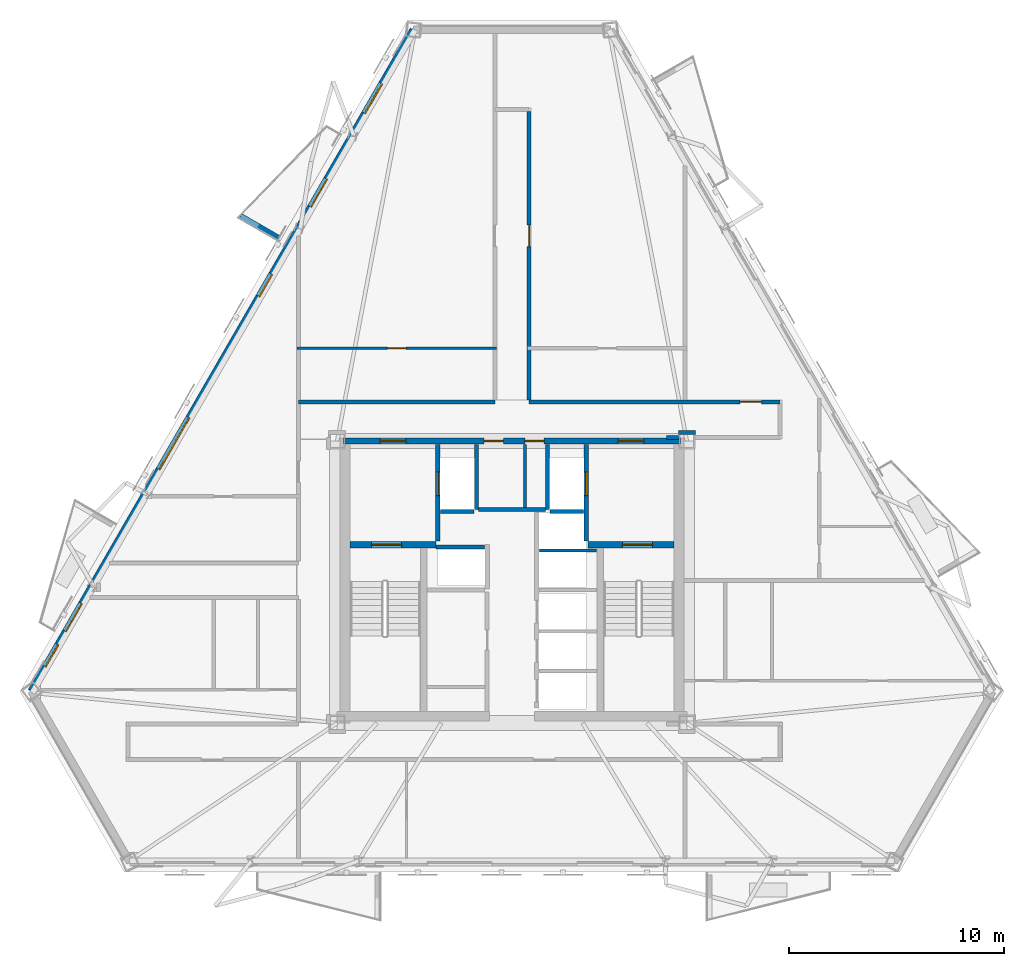
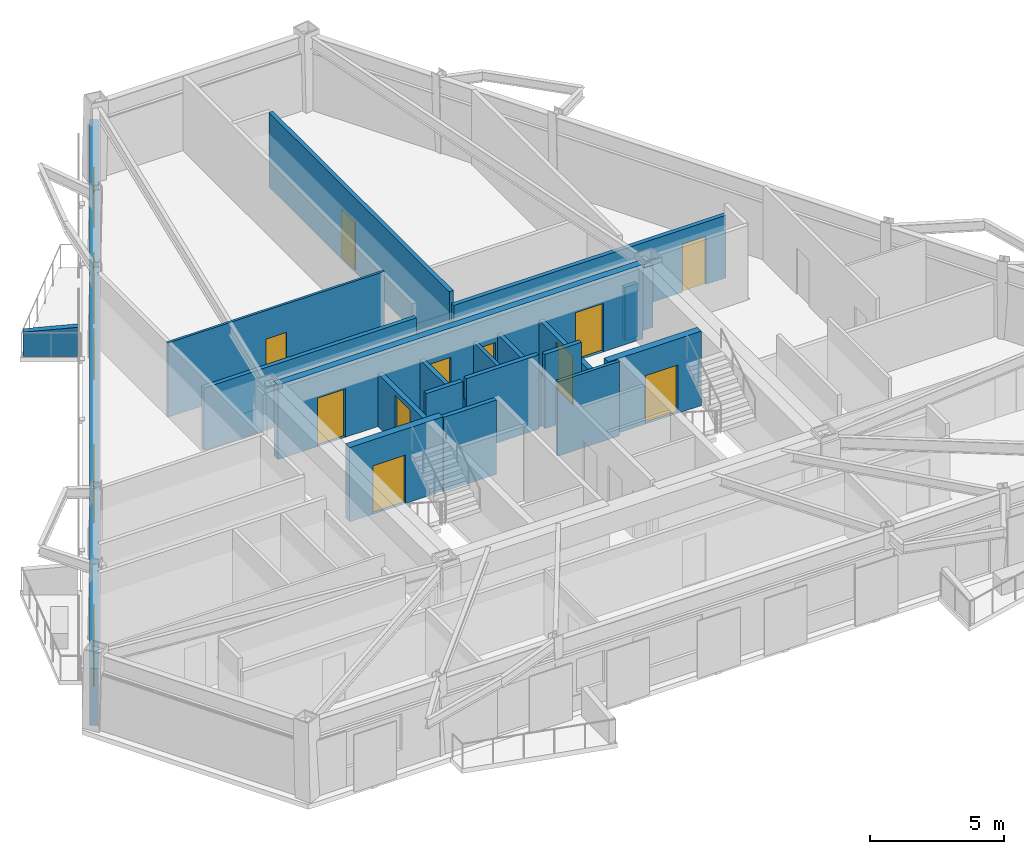
# One storey, part 4 of 9: 21 walls, 13 doors, 4 windows, 17 openings.
"""IFC4 building model written with IfcOpenShell, lengths in metres."""

from ifc_helpers import new_model, si_unit, direction, frame, frame_2d, origin, place, context, subcontext, project, spatial, polyline, rectangle, outline, extrude, material, layer, layer_set, type_object, element, fill, save


model = new_model("IFC4")

# Units and contexts
model_context = context("Model", 3, precision=1e-05, world=origin(), true_north=direction((0.0, 1.0)))
body_context = subcontext(model_context, "Body", "Model", "MODEL_VIEW")
ifc_project = project(units=[si_unit("LENGTHUNIT", "METRE"), si_unit("AREAUNIT", "SQUARE_METRE"), si_unit("VOLUMEUNIT", "CUBIC_METRE"), si_unit("PLANEANGLEUNIT", "RADIAN"), si_unit("MASSUNIT", "GRAM", prefix="KILO")], contexts=[model_context])

# Site, building, storey
site_placement = place(None, origin())
site = spatial("IfcSite", under=ifc_project, at=site_placement, CompositionType="ELEMENT")
building_placement = place(site_placement, origin())
building = spatial("IfcBuilding", under=site, at=building_placement, Name="Oramaril Tower", CompositionType="ELEMENT")
storey_placement = place(building_placement, frame((0.0, 0.0, 156.60009765625)))
storey = spatial("IfcBuildingStorey", under=building, at=storey_placement, Name="L41", CompositionType="ELEMENT", Elevation=156.60009765625)

# Wall, openings, doors, windows
ifc_material_1 = material(Name="Warm Cream Limestone", Category="masonry")
ifc_layer_1 = layer(ifc_material_1, 0.340087890625)
ifc_layer_set_1 = layer_set([ifc_layer_1], Name="WT-EXT34")
wall_type_1 = type_object("IfcWallType", Name="WT-EXT34", PredefinedType="SOLIDWALL", material=ifc_layer_set_1)
wall_1_placement = place(storey_placement, frame((32.90087890625, 43.312744140625, 0.0), z_axis=(0.0, 0.0, 1.0), x_axis=(-0.499998839087, -0.866026074037, 0.0)))
wall_1 = element("IfcWall", 1, at=wall_1_placement, inside=storey, type_object=wall_type_1, Name="L41 Tower Limestone Facade Wall 6M", PredefinedType="SOLIDWALL", context=body_context, shape_type="SweptSolid", body=[
    extrude(rectangle(XDim=35.6064453125, YDim=0.340087890625, at=frame_2d((17.80322265625, 0.0))), origin(), (0.0, 0.0, 1.0), 2.599853515625),
])
opening_1_placement = place(wall_1_placement, frame((8.034423828125, 0.0, 0.0)))
opening_1 = element("IfcOpeningElement", 2, at=opening_1_placement, cuts=wall_1, Name="Opening D-L41-BAL-NW1", PredefinedType="OPENING", context=body_context, shape_type="SweptSolid", body=[
    extrude(rectangle(XDim=1.5, YDim=2.199951171875, at=frame_2d((0.75, 1.10009765625))), frame((0.0, 0.169921875, 0.0), z_axis=(0.0, -1.0, 0.0), x_axis=(1.0, 0.0, 0.0)), (0.0, 0.0, 1.0), 0.340087890625),
])
opening_2_placement = place(wall_1_placement, frame((30.88720703125, 0.0, 0.0)))
opening_2 = element("IfcOpeningElement", 3, at=opening_2_placement, cuts=wall_1, Name="Opening D-L41-BAL-NW2", PredefinedType="OPENING", context=body_context, shape_type="SweptSolid", body=[
    extrude(rectangle(XDim=1.5, YDim=2.199951171875, at=frame_2d((0.75, 1.10009765625))), frame((0.0, 0.169921875, 0.0), z_axis=(0.0, -1.0, 0.0), x_axis=(1.0, 0.0, 0.0)), (0.0, 0.0, 1.0), 0.340087890625),
])
opening_3_placement = place(wall_1_placement, frame((33.095947265625, 0.0, 0.85009765625)))
opening_3 = element("IfcOpeningElement", 4, at=opening_3_placement, cuts=wall_1, Name="Opening WN-09", PredefinedType="OPENING", context=body_context, shape_type="SweptSolid", body=[
    extrude(rectangle(XDim=1.199951171875, YDim=1.47998046875, at=frame_2d((0.60009765625, 0.739990234375))), frame((0.0, 0.169921875, 0.0), z_axis=(0.0, -1.0, 0.0), x_axis=(1.0, 0.0, 0.0)), (0.0, 0.0, 1.0), 0.340087890625),
])
opening_4_placement = place(wall_1_placement, frame((13.168212890625, 0.0, 0.85009765625)))
opening_4 = element("IfcOpeningElement", 5, at=opening_4_placement, cuts=wall_1, Name="Opening WN-09", PredefinedType="OPENING", context=body_context, shape_type="SweptSolid", body=[
    extrude(rectangle(XDim=1.199951171875, YDim=1.47998046875, at=frame_2d((0.60009765625, 0.739990234375))), frame((0.0, 0.169921875, 0.0), z_axis=(0.0, -1.0, 0.0), x_axis=(1.0, 0.0, 0.0)), (0.0, 0.0, 1.0), 0.340087890625),
])
opening_5_placement = place(wall_1_placement, frame((20.876220703125, 0.0, 0.85009765625)))
opening_5 = element("IfcOpeningElement", 6, at=opening_5_placement, cuts=wall_1, Name="Opening WN-01", PredefinedType="OPENING", context=body_context, shape_type="SweptSolid", body=[
    extrude(rectangle(XDim=2.800048828125, YDim=1.639892578125, at=frame_2d((1.39990234375, 0.81982421875))), frame((0.0, 0.169921875, 0.0), z_axis=(0.0, -1.0, 0.0), x_axis=(1.0, 0.0, 0.0)), (0.0, 0.0, 1.0), 0.340087890625),
])
opening_6_placement = place(wall_1_placement, frame((2.906494140625, 0.0, 0.85009765625)))
opening_6 = element("IfcOpeningElement", 7, at=opening_6_placement, cuts=wall_1, Name="Opening WN-07", PredefinedType="OPENING", context=body_context, shape_type="SweptSolid", body=[
    extrude(rectangle(XDim=1.60009765625, YDim=1.639892578125, at=frame_2d((0.800048828125, 0.81982421875))), frame((0.0, 0.169921875, 0.0), z_axis=(0.0, -1.0, 0.0), x_axis=(1.0, 0.0, 0.0)), (0.0, 0.0, 1.0), 0.340087890625),
])
ifc_material_2 = material(Name="Anodised Aluminium 6063-T6", Category="aluminium")
door_type_1 = type_object("IfcDoorType", Name="DT-BAL", OperationType="NOTDEFINED", PredefinedType="DOOR", material=ifc_material_2)
door_1_placement = place(opening_1_placement, origin())
door_1 = element("IfcDoor", 8, at=door_1_placement, inside=storey, type_object=door_type_1, Name="L41 Balcony Glazed Door L41-BAL-NW1", OperationType="SINGLE_SWING_RIGHT", OverallHeight=2.199951171875, OverallWidth=1.5, PredefinedType="DOOR", context=body_context, shape_type="SweptSolid", body=[
    extrude(rectangle(XDim=1.5, YDim=2.199951171875, at=frame_2d((0.75, 1.10009765625))), frame((0.0, 0.02490234375, 0.0), z_axis=(0.0, -1.0, 0.0), x_axis=(1.0, 0.0, 0.0)), (0.0, 0.0, 1.0), 0.050048828125),
])
fill(opening_1, door_1)
door_2_placement = place(opening_2_placement, origin())
door_2 = element("IfcDoor", 9, at=door_2_placement, inside=storey, type_object=door_type_1, Name="L41 Balcony Glazed Door L41-BAL-NW2", OperationType="SINGLE_SWING_LEFT", OverallHeight=2.199951171875, OverallWidth=1.5, PredefinedType="DOOR", context=body_context, shape_type="SweptSolid", body=[
    extrude(rectangle(XDim=1.5, YDim=2.199951171875, at=frame_2d((0.75, 1.10009765625))), frame((0.0, 0.02490234375, 0.0), z_axis=(0.0, -1.0, 0.0), x_axis=(1.0, 0.0, 0.0)), (0.0, 0.0, 1.0), 0.050048828125),
])
fill(opening_2, door_2)
ifc_material_3 = material(Name="Coastal Low-E Insulated Glass", Category="glass")
window_type_1 = type_object("IfcWindowType", Name="WNT-01", PartitioningType="SINGLE_PANEL", PredefinedType="WINDOW", material=ifc_material_3)
window_1_placement = place(opening_5_placement, origin())
window_1 = element("IfcWindow", 10, at=window_1_placement, inside=storey, type_object=window_type_1, Name="L41 Chicago Bay Window WN-01", OverallHeight=1.639892578125, OverallWidth=2.800048828125, PartitioningType="SINGLE_PANEL", PredefinedType="WINDOW", context=body_context, shape_type="SweptSolid", body=[
    extrude(rectangle(XDim=2.800048828125, YDim=1.639892578125, at=frame_2d((1.39990234375, 0.81982421875))), frame((0.0, 0.030029296875, 0.0), z_axis=(0.0, -1.0, 0.0), x_axis=(1.0, 0.0, 0.0)), (0.0, 0.0, 1.0), 0.06005859375),
])
fill(opening_5, window_1)
ifc_material_4 = material(Name="Coastal Low-E Insulated Glass", Category="glass")
window_type_2 = type_object("IfcWindowType", Name="WNT-07", PartitioningType="SINGLE_PANEL", PredefinedType="WINDOW", material=ifc_material_4)
window_2_placement = place(opening_6_placement, origin())
window_2 = element("IfcWindow", 11, at=window_2_placement, inside=storey, type_object=window_type_2, Name="L41 Chicago Bay Window WN-07", OverallHeight=1.639892578125, OverallWidth=1.60009765625, PartitioningType="SINGLE_PANEL", PredefinedType="WINDOW", context=body_context, shape_type="SweptSolid", body=[
    extrude(rectangle(XDim=1.60009765625, YDim=1.639892578125, at=frame_2d((0.800048828125, 0.81982421875))), frame((0.0, 0.030029296875, 0.0), z_axis=(0.0, -1.0, 0.0), x_axis=(1.0, 0.0, 0.0)), (0.0, 0.0, 1.0), 0.06005859375),
])
fill(opening_6, window_2)
ifc_material_5 = material(Name="Coastal Low-E Insulated Glass", Category="glass")
window_type_3 = type_object("IfcWindowType", Name="WNT-09", PartitioningType="SINGLE_PANEL", PredefinedType="WINDOW", material=ifc_material_5)
window_3_placement = place(opening_3_placement, origin())
window_3 = element("IfcWindow", 12, at=window_3_placement, inside=storey, type_object=window_type_3, Name="L41 Chicago Bay Window WN-09", OverallHeight=1.47998046875, OverallWidth=1.199951171875, PartitioningType="SINGLE_PANEL", PredefinedType="WINDOW", context=body_context, shape_type="SweptSolid", body=[
    extrude(rectangle(XDim=1.199951171875, YDim=1.47998046875, at=frame_2d((0.60009765625, 0.739990234375))), frame((0.0, 0.030029296875, 0.0), z_axis=(0.0, -1.0, 0.0), x_axis=(1.0, 0.0, 0.0)), (0.0, 0.0, 1.0), 0.06005859375),
])
fill(opening_3, window_3)
window_4_placement = place(opening_4_placement, origin())
window_4 = element("IfcWindow", 13, at=window_4_placement, inside=storey, type_object=window_type_3, Name="L41 Chicago Bay Window WN-09", OverallHeight=1.47998046875, OverallWidth=1.199951171875, PartitioningType="SINGLE_PANEL", PredefinedType="WINDOW", context=body_context, shape_type="SweptSolid", body=[
    extrude(rectangle(XDim=1.199951171875, YDim=1.47998046875, at=frame_2d((0.60009765625, 0.739990234375))), frame((0.0, 0.030029296875, 0.0), z_axis=(0.0, -1.0, 0.0), x_axis=(1.0, 0.0, 0.0)), (0.0, 0.0, 1.0), 0.06005859375),
])
fill(opening_4, window_4)

# Wall
ifc_material_6 = material(Name="Concrete C40/50", Category="concrete")
ifc_layer_2 = layer(ifc_material_6, 0.22998046875)
ifc_layer_set_2 = layer_set([ifc_layer_2], Name="WT-PRP23")
wall_type_2 = type_object("IfcWallType", Name="WT-PRP23", PredefinedType="PARAPET", material=ifc_layer_set_2)
wall_2_placement = place(storey_placement, frame((26.618408203125, 33.626953125, 0.0), z_axis=(0.0, 0.0, 1.0), x_axis=(-0.866042246008, 0.499970827278, 0.0)))
element("IfcWall", 14, at=wall_2_placement, inside=storey, type_object=wall_type_2, Name="L41 Trapezoidal Balcony Frame Cheek L41-BAL-NW1-R", PredefinedType="PARAPET", context=body_context, shape_type="SweptSolid", body=[
    extrude(outline(polyline([(0.0, 0.0), (2.0419921875, 0.0), (2.0419921875, 1.099853515625), (0.0, 1.31982421875), (0.0, 0.0)])), frame((0.0, 0.114990234375, 0.0), z_axis=(0.0, -1.0, 0.0), x_axis=(1.0, 0.0, 0.0)), (0.0, 0.0, 1.0), 0.22998046875),
])

# Wall, opening, door
ifc_material_7 = material(Name="Acoustic Gypsum Board Partition")
ifc_layer_3 = layer(ifc_material_7, 0.10009765625)
ifc_layer_set_3 = layer_set([ifc_layer_3], Name="WT-PT10")
wall_type_3 = type_object("IfcWallType", Name="WT-PT10", PredefinedType="PARTITIONING", material=ifc_layer_set_3)
wall_3_placement = place(storey_placement, frame((27.468017578125, 28.469970703125, 0.0), z_axis=(0.0, 0.0, 1.0), x_axis=(1.0, 0.0, 0.0)))
wall_3 = element("IfcWall", 15, at=wall_3_placement, inside=storey, type_object=wall_type_3, Name="L41 Interior Partition PT-10", PredefinedType="PARTITIONING", context=body_context, shape_type="SweptSolid", body=[
    extrude(rectangle(XDim=9.31396484375, YDim=0.10009765625, at=frame_2d((4.656982421875, 0.0))), origin(), (0.0, 0.0, 1.0), 3.3798828125),
])
opening_7_placement = place(wall_3_placement, frame((4.217041015625, 0.0, 0.0)))
opening_7 = element("IfcOpeningElement", 16, at=opening_7_placement, cuts=wall_3, Name="Opening D-L41-12", PredefinedType="OPENING", context=body_context, shape_type="SweptSolid", body=[
    extrude(rectangle(XDim=0.8798828125, YDim=2.080078125, at=frame_2d((0.43994140625, 1.0400390625))), frame((0.0, 0.050048828125, 0.0), z_axis=(0.0, -1.0, 0.0), x_axis=(1.0, 0.0, 0.0)), (0.0, 0.0, 1.0), 0.10009765625),
])
ifc_material_8 = material(Name="FSC Brazilian Freijo Hardwood", Category="wood")
door_type_2 = type_object("IfcDoorType", Name="DT-BATH", OperationType="NOTDEFINED", PredefinedType="DOOR", material=ifc_material_8)
door_3_placement = place(opening_7_placement, origin())
door_3 = element("IfcDoor", 17, at=door_3_placement, inside=storey, type_object=door_type_2, Name="L41 Flat L41-U6 Bathroom Door D-L41-12", OperationType="SINGLE_SWING_LEFT", OverallHeight=2.080078125, OverallWidth=0.8798828125, PredefinedType="DOOR", context=body_context, shape_type="SweptSolid", body=[
    extrude(rectangle(XDim=0.8798828125, YDim=2.080078125, at=frame_2d((0.43994140625, 1.0400390625))), frame((0.0, 0.02490234375, 0.0), z_axis=(0.0, -1.0, 0.0), x_axis=(1.0, 0.0, 0.0)), (0.0, 0.0, 1.0), 0.050048828125),
])
fill(opening_7, door_3)

# Walls
ifc_material_9 = material(Name="Acoustic Gypsum Board Partition")
ifc_layer_4 = layer(ifc_material_9, 0.139892578125)
ifc_layer_set_4 = layer_set([ifc_layer_4], Name="WT-PT14")
wall_type_4 = type_object("IfcWallType", Name="WT-PT14", PredefinedType="PARTITIONING", material=ifc_layer_set_4)
wall_4_placement = place(storey_placement, frame((38.780029296875, 19.050048828125, 0.0), z_axis=(0.0, 0.0, 1.0), x_axis=(1.0, 0.0, 0.0)))
element("IfcWall", 18, at=wall_4_placement, inside=storey, type_object=wall_type_4, Name="L41 East Lift Divider", PredefinedType="PARTITIONING", context=body_context, shape_type="SweptSolid", body=[
    extrude(rectangle(XDim=2.659912109375, YDim=0.139892578125, at=frame_2d((1.330078125, 0.0))), origin(), (0.0, 0.0, 1.0), 3.3798828125),
])
wall_5_placement = place(storey_placement, frame((38.110107421875, 21.06005859375, 0.0), z_axis=(0.0, 0.0, 1.0), x_axis=(0.0, 1.0, 0.0)))
element("IfcWall", 19, at=wall_5_placement, inside=storey, type_object=wall_type_4, Name="L41 Core Service Divider", PredefinedType="PARTITIONING", context=body_context, shape_type="SweptSolid", body=[
    extrude(rectangle(XDim=2.919921875, YDim=0.139892578125, at=frame_2d((1.4599609375, 0.0))), origin(), (0.0, 0.0, 1.0), 2.419921875),
])
ifc_material_10 = material(Name="Autoclaved Cellular Concrete Block", Category="concrete")
ifc_layer_5 = layer(ifc_material_10, 0.179931640625)
ifc_layer_set_5 = layer_set([ifc_layer_5], Name="WT-PT18")
wall_type_5 = type_object("IfcWallType", Name="WT-PT18", PredefinedType="PARTITIONING", material=ifc_layer_set_5)
wall_6_placement = place(storey_placement, frame((35.840087890625, 20.9599609375, 0.0), z_axis=(0.0, 0.0, 1.0), x_axis=(0.0, 1.0, 0.0)))
element("IfcWall", 20, at=wall_6_placement, inside=storey, type_object=wall_type_5, Name="L41 FL-1 East Shaft Wall", PredefinedType="PARTITIONING", context=body_context, shape_type="SweptSolid", body=[
    extrude(rectangle(XDim=3.02001953125, YDim=0.179931640625, at=frame_2d((1.510009765625, 0.0))), origin(), (0.0, 0.0, 1.0), 2.419921875),
])
wall_7_placement = place(storey_placement, frame((34.159912109375, 20.860107421875, 0.0), z_axis=(0.0, 0.0, 1.0), x_axis=(1.0, 0.0, 0.0)))
element("IfcWall", 21, at=wall_7_placement, inside=storey, type_object=wall_type_5, Name="L41 FL-1 South Shaft Wall", PredefinedType="PARTITIONING", context=body_context, shape_type="SweptSolid", body=[
    extrude(rectangle(XDim=1.580078125, YDim=0.179931640625, at=frame_2d((0.7900390625, 0.0))), origin(), (0.0, 0.0, 1.0), 3.3798828125),
])
wall_8_placement = place(storey_placement, frame((39.159912109375, 20.9599609375, 0.0), z_axis=(0.0, 0.0, 1.0), x_axis=(0.0, 1.0, 0.0)))
element("IfcWall", 22, at=wall_8_placement, inside=storey, type_object=wall_type_5, Name="L41 FL-2 West Shaft Wall", PredefinedType="PARTITIONING", context=body_context, shape_type="SweptSolid", body=[
    extrude(rectangle(XDim=3.02001953125, YDim=0.179931640625, at=frame_2d((1.510009765625, 0.0))), origin(), (0.0, 0.0, 1.0), 2.419921875),
])
wall_9_placement = place(storey_placement, frame((39.260009765625, 20.860107421875, 0.0), z_axis=(0.0, 0.0, 1.0), x_axis=(1.0, 0.0, 0.0)))
element("IfcWall", 23, at=wall_9_placement, inside=storey, type_object=wall_type_5, Name="L41 FL-2 South Shaft Wall", PredefinedType="PARTITIONING", context=body_context, shape_type="SweptSolid", body=[
    extrude(rectangle(XDim=1.580078125, YDim=0.179931640625, at=frame_2d((0.7900390625, 0.0))), origin(), (0.0, 0.0, 1.0), 3.3798828125),
])
wall_10_placement = place(storey_placement, frame((33.949951171875, 19.199951171875, 0.0), z_axis=(0.0, 0.0, 1.0), x_axis=(1.0, 0.0, 0.0)))
element("IfcWall", 24, at=wall_10_placement, inside=storey, type_object=wall_type_5, Name="L41 High-Rise Lift H1 North Shaft Wall", PredefinedType="PARTITIONING", context=body_context, shape_type="SweptSolid", body=[
    extrude(rectangle(XDim=2.27001953125, YDim=0.179931640625, at=frame_2d((1.135009765625, 0.0))), origin(), (0.0, 0.0, 1.0), 3.3798828125),
])
wall_11_placement = place(storey_placement, frame((35.949951171875, 20.949951171875, 0.0), z_axis=(0.0, 0.0, 1.0), x_axis=(1.0, 0.0, 0.0)))
element("IfcWall", 25, at=wall_11_placement, inside=storey, type_object=wall_type_5, Name="L41 Lift Lobby North Partition", PredefinedType="PARTITIONING", context=body_context, shape_type="SweptSolid", body=[
    extrude(rectangle(XDim=3.10009765625, YDim=0.179931640625, at=frame_2d((1.550048828125, 0.0))), origin(), (0.0, 0.0, 1.0), 3.3798828125),
])
wall_12_placement = place(storey_placement, frame((44.695068359375, 24.320068359375, 0.0), z_axis=(0.0, 0.0, 1.0), x_axis=(1.0, 0.0, 0.0)))
element("IfcWall", 26, at=wall_12_placement, inside=storey, type_object=wall_type_5, Name="L41 Interior Partition PT-18", PredefinedType="PARTITIONING", context=body_context, shape_type="SweptSolid", body=[
    extrude(rectangle(XDim=0.56494140625, YDim=0.179931640625, at=frame_2d((0.282470703125, 0.0))), origin(), (0.0, 0.0, 1.0), 2.419921875),
])
wall_13_placement = place(storey_placement, frame((45.2548828125, 24.550048828125, 0.0), z_axis=(0.0, 0.0, 1.0), x_axis=(1.0, 0.0, 0.0)))
element("IfcWall", 27, at=wall_13_placement, inside=storey, type_object=wall_type_5, Name="L41 Interior Partition PT-18", PredefinedType="PARTITIONING", context=body_context, shape_type="SweptSolid", body=[
    extrude(rectangle(XDim=0.7900390625, YDim=0.179931640625, at=frame_2d((0.39501953125, 0.0))), origin(), (0.0, 0.0, 1.0), 2.841796875),
])
wall_14_placement = place(storey_placement, frame((27.550048828125, 25.969970703125, 0.0), z_axis=(0.0, 0.0, 1.0), x_axis=(1.0, 0.0, 0.0)))
element("IfcWall", 28, at=wall_14_placement, inside=storey, type_object=wall_type_5, Name="L41 Interior Partition PT-18", PredefinedType="PARTITIONING", context=body_context, shape_type="SweptSolid", body=[
    extrude(rectangle(XDim=9.14990234375, YDim=0.179931640625, at=frame_2d((4.574951171875, 0.0))), origin(), (0.0, 0.0, 1.0), 2.841796875),
])

# Wall, opening, door
wall_15_placement = place(storey_placement, frame((38.300048828125, 25.969970703125, 0.0), z_axis=(0.0, 0.0, 1.0), x_axis=(1.0, 0.0, 0.0)))
wall_15 = element("IfcWall", 29, at=wall_15_placement, inside=storey, type_object=wall_type_5, Name="L41 Interior Partition PT-18", PredefinedType="PARTITIONING", context=body_context, shape_type="SweptSolid", body=[
    extrude(rectangle(XDim=11.699951171875, YDim=0.179931640625, at=frame_2d((5.85009765625, 0.0))), origin(), (0.0, 0.0, 1.0), 2.841796875),
])
opening_8_placement = place(wall_15_placement, frame((9.832275390625, 0.0, 0.0)))
opening_8 = element("IfcOpeningElement", 30, at=opening_8_placement, cuts=wall_15, Name="Opening D-L41-11", PredefinedType="OPENING", context=body_context, shape_type="SweptSolid", body=[
    extrude(rectangle(XDim=1.0, YDim=2.179931640625, at=frame_2d((0.5, 1.08984375))), frame((0.0, 0.08984375, 0.0), z_axis=(0.0, -1.0, 0.0), x_axis=(1.0, 0.0, 0.0)), (0.0, 0.0, 1.0), 0.179931640625),
])
ifc_material_11 = material(Name="FSC Brazilian Freijo Hardwood", Category="wood")
door_type_3 = type_object("IfcDoorType", Name="DT-APT", OperationType="NOTDEFINED", PredefinedType="DOOR", material=ifc_material_11)
door_4_placement = place(opening_8_placement, origin())
door_4 = element("IfcDoor", 31, at=door_4_placement, inside=storey, type_object=door_type_3, Name="L41 Flat L41-U5 Studio Apartment Door D-L41-11", OperationType="SINGLE_SWING_RIGHT", OverallHeight=2.179931640625, OverallWidth=1.0, PredefinedType="DOOR", context=body_context, shape_type="SweptSolid", body=[
    extrude(rectangle(XDim=1.0, YDim=2.179931640625, at=frame_2d((0.5, 1.08984375))), frame((0.0, 0.02490234375, 0.0), z_axis=(0.0, -1.0, 0.0), x_axis=(1.0, 0.0, 0.0)), (0.0, 0.0, 1.0), 0.050048828125),
])
fill(opening_8, door_4)

wall_16_placement = place(storey_placement, frame((38.300048828125, 26.06396484375, 0.0), z_axis=(0.0, 0.0, 1.0), x_axis=(0.0, 1.0, 0.0)))
wall_16 = element("IfcWall", 32, at=wall_16_placement, inside=storey, type_object=wall_type_5, Name="L41 Interior Partition PT-18", PredefinedType="PARTITIONING", context=body_context, shape_type="SweptSolid", body=[
    extrude(rectangle(XDim=13.442138671875, YDim=0.179931640625, at=frame_2d((6.72119140625, 0.0))), origin(), (0.0, 0.0, 1.0), 3.3798828125),
])
opening_9_placement = place(wall_16_placement, frame((7.147705078125, 0.0, 0.0)))
opening_9 = element("IfcOpeningElement", 33, at=opening_9_placement, cuts=wall_16, Name="Opening D-L41-17", PredefinedType="OPENING", context=body_context, shape_type="SweptSolid", body=[
    extrude(rectangle(XDim=1.0, YDim=2.179931640625, at=frame_2d((0.5, 1.08984375))), frame((0.0, 0.08984375, 0.0), z_axis=(0.0, -1.0, 0.0), x_axis=(1.0, 0.0, 0.0)), (0.0, 0.0, 1.0), 0.179931640625),
])
door_5_placement = place(opening_9_placement, origin())
door_5 = element("IfcDoor", 34, at=door_5_placement, inside=storey, type_object=door_type_3, Name="L41 Flat L41-U7 Kitchen and Studio Apartment Door D-L41-17", OperationType="SINGLE_SWING_RIGHT", OverallHeight=2.179931640625, OverallWidth=1.0, PredefinedType="DOOR", context=body_context, shape_type="SweptSolid", body=[
    extrude(rectangle(XDim=1.0, YDim=2.179931640625, at=frame_2d((0.5, 1.08984375))), frame((0.0, 0.02490234375, 0.0), z_axis=(0.0, -1.0, 0.0), x_axis=(1.0, 0.0, 0.0)), (0.0, 0.0, 1.0), 0.050048828125),
])
fill(opening_9, door_5)

# Wall, openings, doors
ifc_material_12 = material(Name="Concrete C50/60", Category="concrete")
ifc_layer_6 = layer(ifc_material_12, 0.300048828125)
ifc_layer_set_6 = layer_set([ifc_layer_6], Name="WT-SH30")
wall_type_6 = type_object("IfcWallType", Name="WT-SH30", PredefinedType="SHEAR", material=ifc_layer_set_6)
wall_17_placement = place(storey_placement, frame((29.64990234375, 24.14990234375, 0.0), z_axis=(0.0, 0.0, 1.0), x_axis=(1.0, 0.0, 0.0)))
wall_17 = element("IfcWall", 35, at=wall_17_placement, inside=storey, type_object=wall_type_6, Name="L41 Core Shear Wall CW-N", PredefinedType="SHEAR", context=body_context, shape_type="SweptSolid", body=[
    extrude(rectangle(XDim=15.7001953125, YDim=0.300048828125, at=frame_2d((7.85009765625, 0.0))), origin(), (0.0, 0.0, 1.0), 3.3798828125),
])
opening_10_placement = place(wall_17_placement, frame((1.699951171875, 0.0, 0.0)))
opening_10 = element("IfcOpeningElement", 36, at=opening_10_placement, cuts=wall_17, Name="Opening D-L41-FFL1", PredefinedType="OPENING", context=body_context, shape_type="SweptSolid", body=[
    extrude(rectangle(XDim=1.199951171875, YDim=2.199951171875, at=frame_2d((0.60009765625, 1.10009765625))), frame((0.0, 0.14990234375, 0.0), z_axis=(0.0, -1.0, 0.0), x_axis=(1.0, 0.0, 0.0)), (0.0, 0.0, 1.0), 0.300048828125),
])
opening_11_placement = place(wall_17_placement, frame((12.800048828125, 0.0, 0.0)))
opening_11 = element("IfcOpeningElement", 37, at=opening_11_placement, cuts=wall_17, Name="Opening D-L41-FFL2", PredefinedType="OPENING", context=body_context, shape_type="SweptSolid", body=[
    extrude(rectangle(XDim=1.199951171875, YDim=2.199951171875, at=frame_2d((0.60009765625, 1.10009765625))), frame((0.0, 0.14990234375, 0.0), z_axis=(0.0, -1.0, 0.0), x_axis=(1.0, 0.0, 0.0)), (0.0, 0.0, 1.0), 0.300048828125),
])
opening_12_placement = place(wall_17_placement, frame((6.550048828125, 0.0, 0.0)))
opening_12 = element("IfcOpeningElement", 38, at=opening_12_placement, cuts=wall_17, Name="Opening D-L41-SV1", PredefinedType="OPENING", context=body_context, shape_type="SweptSolid", body=[
    extrude(rectangle(XDim=0.89990234375, YDim=2.050048828125, at=frame_2d((0.449951171875, 1.02490234375))), frame((0.0, 0.14990234375, 0.0), z_axis=(0.0, -1.0, 0.0), x_axis=(1.0, 0.0, 0.0)), (0.0, 0.0, 1.0), 0.300048828125),
])
opening_13_placement = place(wall_17_placement, frame((8.449951171875, 0.0, 0.0)))
opening_13 = element("IfcOpeningElement", 39, at=opening_13_placement, cuts=wall_17, Name="Opening D-L41-SV2", PredefinedType="OPENING", context=body_context, shape_type="SweptSolid", body=[
    extrude(rectangle(XDim=0.89990234375, YDim=2.050048828125, at=frame_2d((0.449951171875, 1.02490234375))), frame((0.0, 0.14990234375, 0.0), z_axis=(0.0, -1.0, 0.0), x_axis=(1.0, 0.0, 0.0)), (0.0, 0.0, 1.0), 0.300048828125),
])
ifc_material_13 = material(Name="Painted Galvanised Steel", Category="steel")
door_type_4 = type_object("IfcDoorType", Name="DT-FFL", OperationType="NOTDEFINED", PredefinedType="DOOR", material=ifc_material_13)
door_6_placement = place(opening_10_placement, origin())
door_6 = element("IfcDoor", 40, at=door_6_placement, inside=storey, type_object=door_type_4, Name="L41 Firefighting Lobby 1 Fire Door", OperationType="SINGLE_SWING_LEFT", OverallHeight=2.199951171875, OverallWidth=1.199951171875, PredefinedType="DOOR", context=body_context, shape_type="SweptSolid", body=[
    extrude(rectangle(XDim=1.199951171875, YDim=2.199951171875, at=frame_2d((0.60009765625, 1.10009765625))), frame((0.0, 0.02490234375, 0.0), z_axis=(0.0, -1.0, 0.0), x_axis=(1.0, 0.0, 0.0)), (0.0, 0.0, 1.0), 0.050048828125),
])
fill(opening_10, door_6)
door_7_placement = place(opening_11_placement, origin())
door_7 = element("IfcDoor", 41, at=door_7_placement, inside=storey, type_object=door_type_4, Name="L41 Firefighting Lobby 2 Fire Door", OperationType="SINGLE_SWING_RIGHT", OverallHeight=2.199951171875, OverallWidth=1.199951171875, PredefinedType="DOOR", context=body_context, shape_type="SweptSolid", body=[
    extrude(rectangle(XDim=1.199951171875, YDim=2.199951171875, at=frame_2d((0.60009765625, 1.10009765625))), frame((0.0, 0.02490234375, 0.0), z_axis=(0.0, -1.0, 0.0), x_axis=(1.0, 0.0, 0.0)), (0.0, 0.0, 1.0), 0.050048828125),
])
fill(opening_11, door_7)
ifc_material_14 = material(Name="Painted Galvanised Steel", Category="steel")
door_type_5 = type_object("IfcDoorType", Name="DT-SVC", OperationType="NOTDEFINED", PredefinedType="DOOR", material=ifc_material_14)
door_8_placement = place(opening_12_placement, origin())
door_8 = element("IfcDoor", 42, at=door_8_placement, inside=storey, type_object=door_type_5, Name="L41 Core Service Store 1 Door", OperationType="SINGLE_SWING_LEFT", OverallHeight=2.050048828125, OverallWidth=0.89990234375, PredefinedType="DOOR", context=body_context, shape_type="SweptSolid", body=[
    extrude(rectangle(XDim=0.89990234375, YDim=2.050048828125, at=frame_2d((0.449951171875, 1.02490234375))), frame((0.0, 0.02490234375, 0.0), z_axis=(0.0, -1.0, 0.0), x_axis=(1.0, 0.0, 0.0)), (0.0, 0.0, 1.0), 0.050048828125),
])
fill(opening_12, door_8)
door_9_placement = place(opening_13_placement, origin())
door_9 = element("IfcDoor", 43, at=door_9_placement, inside=storey, type_object=door_type_5, Name="L41 Core Service Store 2 Door", OperationType="SINGLE_SWING_RIGHT", OverallHeight=2.050048828125, OverallWidth=0.89990234375, PredefinedType="DOOR", context=body_context, shape_type="SweptSolid", body=[
    extrude(rectangle(XDim=0.89990234375, YDim=2.050048828125, at=frame_2d((0.449951171875, 1.02490234375))), frame((0.0, 0.02490234375, 0.0), z_axis=(0.0, -1.0, 0.0), x_axis=(1.0, 0.0, 0.0)), (0.0, 0.0, 1.0), 0.050048828125),
])
fill(opening_13, door_9)

# Wall, opening, door
wall_18_placement = place(storey_placement, frame((29.93994140625, 19.31005859375, 0.0), z_axis=(0.0, 0.0, 1.0), x_axis=(1.0, 0.0, 0.0)))
wall_18 = element("IfcWall", 44, at=wall_18_placement, inside=storey, type_object=wall_type_6, Name="L41 Core Shear Wall CW-ST1N", PredefinedType="SHEAR", context=body_context, shape_type="SweptSolid", body=[
    extrude(rectangle(XDim=4.010009765625, YDim=0.300048828125, at=frame_2d((2.0048828125, 0.0))), origin(), (0.0, 0.0, 1.0), 3.3798828125),
])
opening_14_placement = place(wall_18_placement, frame((1.010009765625, 0.0, 0.0)))
opening_14 = element("IfcOpeningElement", 45, at=opening_14_placement, cuts=wall_18, Name="Opening D-L41-ST1", PredefinedType="OPENING", context=body_context, shape_type="SweptSolid", body=[
    extrude(rectangle(XDim=1.39990234375, YDim=2.199951171875, at=frame_2d((0.699951171875, 1.10009765625))), frame((0.0, 0.14990234375, 0.0), z_axis=(0.0, -1.0, 0.0), x_axis=(1.0, 0.0, 0.0)), (0.0, 0.0, 1.0), 0.300048828125),
])
ifc_material_15 = material(Name="Painted Galvanised Steel", Category="steel")
door_type_6 = type_object("IfcDoorType", Name="DT-ST", OperationType="NOTDEFINED", PredefinedType="DOOR", material=ifc_material_15)
door_10_placement = place(opening_14_placement, origin())
door_10 = element("IfcDoor", 46, at=door_10_placement, inside=storey, type_object=door_type_6, Name="L41 Protected Stair ST-1 Fire Door", OperationType="SINGLE_SWING_LEFT", OverallHeight=2.199951171875, OverallWidth=1.39990234375, PredefinedType="DOOR", context=body_context, shape_type="SweptSolid", body=[
    extrude(rectangle(XDim=1.39990234375, YDim=2.199951171875, at=frame_2d((0.699951171875, 1.10009765625))), frame((0.0, 0.02490234375, 0.0), z_axis=(0.0, -1.0, 0.0), x_axis=(1.0, 0.0, 0.0)), (0.0, 0.0, 1.0), 0.050048828125),
])
fill(opening_14, door_10)

wall_19_placement = place(storey_placement, frame((41.050048828125, 19.31005859375, 0.0), z_axis=(0.0, 0.0, 1.0), x_axis=(1.0, 0.0, 0.0)))
wall_19 = element("IfcWall", 47, at=wall_19_placement, inside=storey, type_object=wall_type_6, Name="L41 Core Shear Wall CW-ST2N", PredefinedType="SHEAR", context=body_context, shape_type="SweptSolid", body=[
    extrude(rectangle(XDim=4.010009765625, YDim=0.300048828125, at=frame_2d((2.0048828125, 0.0))), origin(), (0.0, 0.0, 1.0), 3.3798828125),
])
opening_15_placement = place(wall_19_placement, frame((1.60009765625, 0.0, 0.0)))
opening_15 = element("IfcOpeningElement", 48, at=opening_15_placement, cuts=wall_19, Name="Opening D-L41-ST2", PredefinedType="OPENING", context=body_context, shape_type="SweptSolid", body=[
    extrude(rectangle(XDim=1.39990234375, YDim=2.199951171875, at=frame_2d((0.699951171875, 1.10009765625))), frame((0.0, 0.14990234375, 0.0), z_axis=(0.0, -1.0, 0.0), x_axis=(1.0, 0.0, 0.0)), (0.0, 0.0, 1.0), 0.300048828125),
])
door_11_placement = place(opening_15_placement, origin())
door_11 = element("IfcDoor", 49, at=door_11_placement, inside=storey, type_object=door_type_6, Name="L41 Protected Stair ST-2 Fire Door", OperationType="SINGLE_SWING_RIGHT", OverallHeight=2.199951171875, OverallWidth=1.39990234375, PredefinedType="DOOR", context=body_context, shape_type="SweptSolid", body=[
    extrude(rectangle(XDim=1.39990234375, YDim=2.199951171875, at=frame_2d((0.699951171875, 1.10009765625))), frame((0.0, 0.02490234375, 0.0), z_axis=(0.0, -1.0, 0.0), x_axis=(1.0, 0.0, 0.0)), (0.0, 0.0, 1.0), 0.050048828125),
])
fill(opening_15, door_11)

ifc_material_16 = material(Name="Autoclaved Cellular Concrete Block", Category="concrete")
ifc_layer_7 = layer(ifc_material_16, 0.199951171875)
ifc_layer_set_7 = layer_set([ifc_layer_7], Name="WT-SHF20")
wall_type_7 = type_object("IfcWallType", Name="WT-SHF20", PredefinedType="PARTITIONING", material=ifc_layer_set_7)
wall_20_placement = place(storey_placement, frame((34.0400390625, 19.47998046875, 0.0), z_axis=(0.0, 0.0, 1.0), x_axis=(0.0, 1.0, 0.0)))
wall_20 = element("IfcWall", 50, at=wall_20_placement, inside=storey, type_object=wall_type_7, Name="L41 FL-1 Lobby Shaft Wall", PredefinedType="PARTITIONING", context=body_context, shape_type="SweptSolid", body=[
    extrude(rectangle(XDim=4.5, YDim=0.199951171875, at=frame_2d((2.25, 0.0))), origin(), (0.0, 0.0, 1.0), 2.419921875),
])
opening_16_placement = place(wall_20_placement, frame((2.1201171875, 0.0, 0.0)))
opening_16 = element("IfcOpeningElement", 51, at=opening_16_placement, cuts=wall_20, Name="Opening LD-L41-FL-1", PredefinedType="OPENING", context=body_context, shape_type="SweptSolid", body=[
    extrude(rectangle(XDim=1.10009765625, YDim=2.199951171875, at=frame_2d((0.550048828125, 1.10009765625))), frame((0.0, 0.10009765625, 0.0), z_axis=(0.0, -1.0, 0.0), x_axis=(1.0, 0.0, 0.0)), (0.0, 0.0, 1.0), 0.199951171875),
])
ifc_material_17 = material(Name="Stainless Steel 316L", Category="steel")
door_type_7 = type_object("IfcDoorType", Name="DT-LD1", OperationType="NOTDEFINED", PredefinedType="DOOR", material=ifc_material_17)
door_12_placement = place(opening_16_placement, origin())
door_12 = element("IfcDoor", 52, at=door_12_placement, inside=storey, type_object=door_type_7, Name="L41 Lift FL-1 Sliding Landing Door", OperationType="SLIDING_TO_LEFT", OverallHeight=2.199951171875, OverallWidth=1.10009765625, PredefinedType="DOOR", context=body_context, shape_type="SweptSolid", body=[
    extrude(rectangle(XDim=1.10009765625, YDim=2.199951171875, at=frame_2d((0.550048828125, 1.10009765625))), frame((0.0, 0.02490234375, 0.0), z_axis=(0.0, -1.0, 0.0), x_axis=(1.0, 0.0, 0.0)), (0.0, 0.0, 1.0), 0.050048828125),
])
fill(opening_16, door_12)

wall_21_placement = place(storey_placement, frame((40.9599609375, 19.47998046875, 0.0), z_axis=(0.0, 0.0, 1.0), x_axis=(0.0, 1.0, 0.0)))
wall_21 = element("IfcWall", 53, at=wall_21_placement, inside=storey, type_object=wall_type_7, Name="L41 FL-2 Lobby Shaft Wall", PredefinedType="PARTITIONING", context=body_context, shape_type="SweptSolid", body=[
    extrude(rectangle(XDim=4.5, YDim=0.199951171875, at=frame_2d((2.25, 0.0))), origin(), (0.0, 0.0, 1.0), 2.419921875),
])
opening_17_placement = place(wall_21_placement, frame((2.1201171875, 0.0, 0.0)))
opening_17 = element("IfcOpeningElement", 54, at=opening_17_placement, cuts=wall_21, Name="Opening LD-L41-FL-2", PredefinedType="OPENING", context=body_context, shape_type="SweptSolid", body=[
    extrude(rectangle(XDim=1.10009765625, YDim=2.199951171875, at=frame_2d((0.550048828125, 1.10009765625))), frame((0.0, 0.10009765625, 0.0), z_axis=(0.0, -1.0, 0.0), x_axis=(1.0, 0.0, 0.0)), (0.0, 0.0, 1.0), 0.199951171875),
])
door_13_placement = place(opening_17_placement, origin())
door_13 = element("IfcDoor", 55, at=door_13_placement, inside=storey, type_object=door_type_7, Name="L41 Lift FL-2 Sliding Landing Door", OperationType="SLIDING_TO_RIGHT", OverallHeight=2.199951171875, OverallWidth=1.10009765625, PredefinedType="DOOR", context=body_context, shape_type="SweptSolid", body=[
    extrude(rectangle(XDim=1.10009765625, YDim=2.199951171875, at=frame_2d((0.550048828125, 1.10009765625))), frame((0.0, 0.02490234375, 0.0), z_axis=(0.0, -1.0, 0.0), x_axis=(1.0, 0.0, 0.0)), (0.0, 0.0, 1.0), 0.050048828125),
])
fill(opening_17, door_13)

save(model, "model.ifc")
